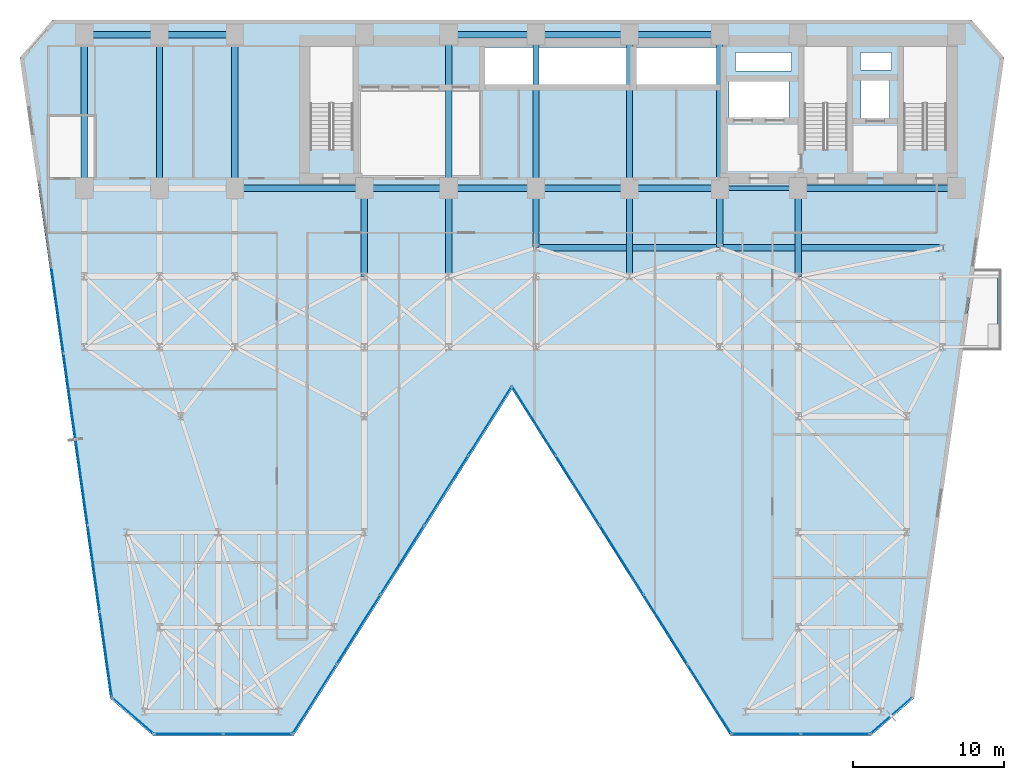
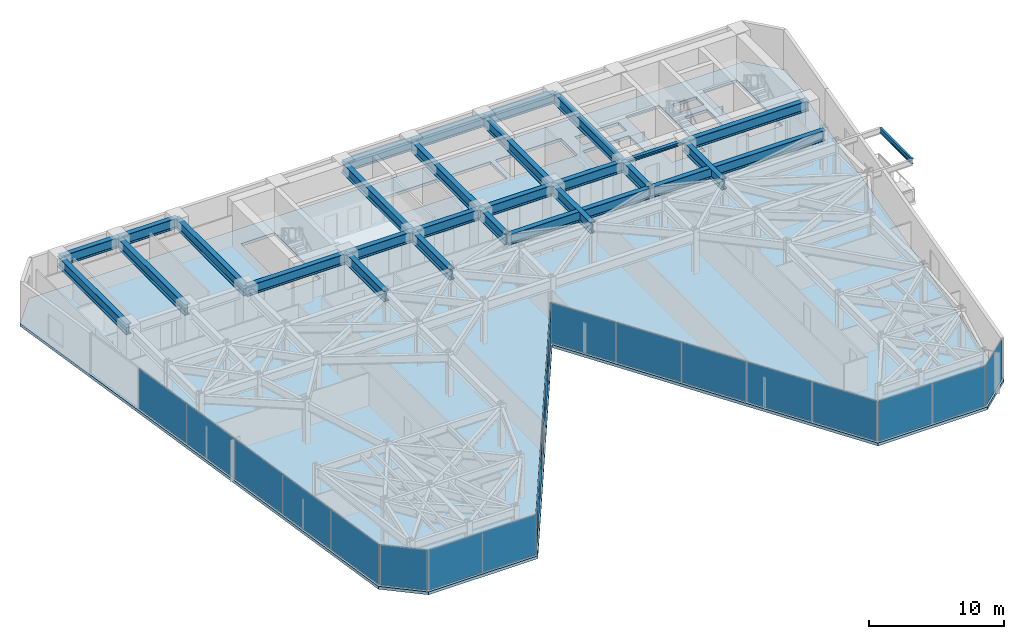
# One storey, part 18 of 25: 28 beams, 21 plates, 1 slab, 7 elements without a shape of their own.
"""IFC4 building model written with IfcOpenShell, lengths in metres."""

from ifc_helpers import new_model, si_unit, direction, frame, origin, origin_2d, place, context, subcontext, project, spatial, polyline, rectangle, i_section, outline, extrude, material, layer, layer_set, material_profile, profile_set, type_object, element, aggregate, save


model = new_model("IFC4")

# Units and contexts
model_context = context("Model", 3, precision=1e-05, world=origin(), true_north=direction((0.0, 1.0)))
body_context = subcontext(model_context, "Body", "Model", "MODEL_VIEW")
ifc_project = project(units=[si_unit("LENGTHUNIT", "METRE"), si_unit("AREAUNIT", "SQUARE_METRE"), si_unit("VOLUMEUNIT", "CUBIC_METRE"), si_unit("PLANEANGLEUNIT", "RADIAN"), si_unit("MASSUNIT", "GRAM", prefix="KILO")], contexts=[model_context])

# Site, building, storey
site_placement = place(None, origin())
site = spatial("IfcSite", under=ifc_project, at=site_placement, CompositionType="ELEMENT")
building_placement = place(site_placement, origin())
building = spatial("IfcBuilding", under=site, at=building_placement, Name="Kravanh Interchange Tower", CompositionType="ELEMENT")
storey_placement = place(building_placement, frame((0.0, 0.0, 73.5)))
storey = spatial("IfcBuildingStorey", under=building, at=storey_placement, Name="L17", CompositionType="ELEMENT", Elevation=73.5)

# Beams
ifc_material_1 = material(Name="Structural Steel S355", Category="steel")
ifc_material_profile_1 = material_profile(ifc_material_1, i_section(OverallWidth=0.41796875, OverallDepth=0.927001953125, WebThickness=0.019287109375, FlangeThickness=0.031982421875, FilletRadius=0.028076171875, at=origin_2d()), Name="W36X231")
ifc_profile_set_1 = profile_set([ifc_material_profile_1], Name="Structural Steel S355")
beam_type_1 = type_object("IfcBeamType", Name="Floor Beam W36X231 Structural Steel S355", PredefinedType="BEAM", material=ifc_profile_set_1)
beam_1_placement = place(storey_placement, frame((66.5, 37.35009765625, 3.276611328125), z_axis=(-1.0, 0.0, 0.0), x_axis=(0.0, -1.0, 0.0)))
element("IfcBeam", 1, at=beam_1_placement, inside=storey, type_object=beam_type_1, Name="L17 Primary Floor Girder 5", PredefinedType="BEAM", context=body_context, shape_type="SweptSolid", body=[
    extrude(i_section(OverallWidth=0.41796875, OverallDepth=0.927001953125, WebThickness=0.019287109375, FlangeThickness=0.031982421875, FilletRadius=0.028076171875, at=origin_2d()), origin(), (0.0, 0.0, 1.0), 10.5),
])
beam_2_placement = place(storey_placement, frame((56.0, 37.35009765625, 3.276611328125), z_axis=(0.0, -1.0, 0.0), x_axis=(1.0, 0.0, 0.0)))
element("IfcBeam", 2, at=beam_2_placement, inside=storey, type_object=beam_type_1, Name="L17 Primary Floor Girder 7", PredefinedType="BEAM", context=body_context, shape_type="SweptSolid", body=[
    extrude(i_section(OverallWidth=0.41796875, OverallDepth=0.927001953125, WebThickness=0.019287109375, FlangeThickness=0.031982421875, FilletRadius=0.028076171875, at=origin_2d()), origin(), (0.0, 0.0, 1.0), 5.85009765625),
])
beam_3_placement = place(storey_placement, frame((50.800048828125, 47.550048828125, 3.276611328125), z_axis=(-1.0, 0.0, 0.0), x_axis=(0.0, -1.0, 0.0)))
element("IfcBeam", 3, at=beam_3_placement, inside=storey, type_object=beam_type_1, Name="L17 Primary Floor Girder 8", PredefinedType="BEAM", context=body_context, shape_type="SweptSolid", body=[
    extrude(i_section(OverallWidth=0.41796875, OverallDepth=0.927001953125, WebThickness=0.019287109375, FlangeThickness=0.031982421875, FilletRadius=0.028076171875, at=origin_2d()), origin(), (0.0, 0.0, 1.0), 6.0),
])
beam_4_placement = place(storey_placement, frame((50.800048828125, 47.550048828125, 3.276611328125), z_axis=(0.0, -1.0, 0.0), x_axis=(1.0, 0.0, 0.0)))
element("IfcBeam", 4, at=beam_4_placement, inside=storey, type_object=beam_type_1, Name="L17 Primary Floor Girder 9", PredefinedType="BEAM", context=body_context, shape_type="SweptSolid", body=[
    extrude(i_section(OverallWidth=0.41796875, OverallDepth=0.927001953125, WebThickness=0.019287109375, FlangeThickness=0.031982421875, FilletRadius=0.028076171875, at=origin_2d()), origin(), (0.0, 0.0, 1.0), 10.199951171875),
])
beam_5_placement = place(storey_placement, frame((50.800048828125, 37.35009765625, 3.276611328125), z_axis=(0.0, -1.0, 0.0), x_axis=(1.0, 0.0, 0.0)))
element("IfcBeam", 5, at=beam_5_placement, inside=storey, type_object=beam_type_1, Name="L17 Primary Floor Girder 10", PredefinedType="BEAM", context=body_context, shape_type="SweptSolid", body=[
    extrude(i_section(OverallWidth=0.41796875, OverallDepth=0.927001953125, WebThickness=0.019287109375, FlangeThickness=0.031982421875, FilletRadius=0.028076171875, at=origin_2d()), origin(), (0.0, 0.0, 1.0), 3.9501953125),
])
beam_6_placement = place(storey_placement, frame((50.800048828125, 37.35009765625, 3.276611328125), z_axis=(-1.0, 0.0, 0.0), x_axis=(0.0, -1.0, 0.0)))
element("IfcBeam", 6, at=beam_6_placement, inside=storey, type_object=beam_type_1, Name="L17 Primary Floor Girder 11", PredefinedType="BEAM", context=body_context, shape_type="SweptSolid", body=[
    extrude(i_section(OverallWidth=0.41796875, OverallDepth=0.927001953125, WebThickness=0.019287109375, FlangeThickness=0.031982421875, FilletRadius=0.028076171875, at=origin_2d()), origin(), (0.0, 0.0, 1.0), 6.0),
])
beam_7_placement = place(storey_placement, frame((44.800048828125, 37.35009765625, 3.276611328125), z_axis=(0.0, -1.0, 0.0), x_axis=(1.0, 0.0, 0.0)))
element("IfcBeam", 7, at=beam_7_placement, inside=storey, type_object=beam_type_1, Name="L17 Primary Floor Girder 12", PredefinedType="BEAM", context=body_context, shape_type="SweptSolid", body=[
    extrude(i_section(OverallWidth=0.41796875, OverallDepth=0.927001953125, WebThickness=0.019287109375, FlangeThickness=0.031982421875, FilletRadius=0.028076171875, at=origin_2d()), origin(), (0.0, 0.0, 1.0), 5.85009765625),
])
beam_8_placement = place(storey_placement, frame((44.800048828125, 37.35009765625, 3.276611328125), z_axis=(-1.0, 0.0, 0.0), x_axis=(0.0, -1.0, 0.0)))
element("IfcBeam", 8, at=beam_8_placement, inside=storey, type_object=beam_type_1, Name="L17 Primary Floor Girder 13", PredefinedType="BEAM", context=body_context, shape_type="SweptSolid", body=[
    extrude(i_section(OverallWidth=0.41796875, OverallDepth=0.927001953125, WebThickness=0.019287109375, FlangeThickness=0.031982421875, FilletRadius=0.028076171875, at=origin_2d()), origin(), (0.0, 0.0, 1.0), 6.199951171875),
])
beam_9_placement = place(storey_placement, frame((44.800048828125, 37.35009765625, 3.276611328125), z_axis=(0.0, 1.0, 0.0), x_axis=(-1.0, 0.0, 0.0)))
element("IfcBeam", 9, at=beam_9_placement, inside=storey, type_object=beam_type_1, Name="L17 Primary Floor Girder 14", PredefinedType="BEAM", context=body_context, shape_type="SweptSolid", body=[
    extrude(i_section(OverallWidth=0.41796875, OverallDepth=0.927001953125, WebThickness=0.019287109375, FlangeThickness=0.031982421875, FilletRadius=0.028076171875, at=origin_2d()), origin(), (0.0, 0.0, 1.0), 10.199951171875),
])
beam_10_placement = place(storey_placement, frame((44.800048828125, 47.550048828125, 3.276611328125), z_axis=(-1.0, 0.0, 0.0), x_axis=(0.0, -1.0, 0.0)))
element("IfcBeam", 10, at=beam_10_placement, inside=storey, type_object=beam_type_1, Name="L17 Primary Floor Girder 15", PredefinedType="BEAM", context=body_context, shape_type="SweptSolid", body=[
    extrude(i_section(OverallWidth=0.41796875, OverallDepth=0.927001953125, WebThickness=0.019287109375, FlangeThickness=0.031982421875, FilletRadius=0.028076171875, at=origin_2d()), origin(), (0.0, 0.0, 1.0), 6.199951171875),
])
beam_11_placement = place(storey_placement, frame((38.60009765625, 37.35009765625, 3.276611328125), z_axis=(0.0, -1.0, 0.0), x_axis=(1.0, 0.0, 0.0)))
element("IfcBeam", 11, at=beam_11_placement, inside=storey, type_object=beam_type_1, Name="L17 Primary Floor Girder 16", PredefinedType="BEAM", context=body_context, shape_type="SweptSolid", body=[
    extrude(i_section(OverallWidth=0.41796875, OverallDepth=0.927001953125, WebThickness=0.019287109375, FlangeThickness=0.031982421875, FilletRadius=0.028076171875, at=origin_2d()), origin(), (0.0, 0.0, 1.0), 3.9501953125),
])
beam_12_placement = place(storey_placement, frame((38.60009765625, 37.35009765625, 3.276611328125), z_axis=(-1.0, 0.0, 0.0), x_axis=(0.0, -1.0, 0.0)))
element("IfcBeam", 12, at=beam_12_placement, inside=storey, type_object=beam_type_1, Name="L17 Primary Floor Girder 17", PredefinedType="BEAM", context=body_context, shape_type="SweptSolid", body=[
    extrude(i_section(OverallWidth=0.41796875, OverallDepth=0.927001953125, WebThickness=0.019287109375, FlangeThickness=0.031982421875, FilletRadius=0.028076171875, at=origin_2d()), origin(), (0.0, 0.0, 1.0), 5.800048828125),
])
beam_13_placement = place(storey_placement, frame((38.60009765625, 37.35009765625, 3.276611328125), z_axis=(0.0, 1.0, 0.0), x_axis=(-1.0, 0.0, 0.0)))
element("IfcBeam", 13, at=beam_13_placement, inside=storey, type_object=beam_type_1, Name="L17 Primary Floor Girder 18", PredefinedType="BEAM", context=body_context, shape_type="SweptSolid", body=[
    extrude(i_section(OverallWidth=0.41796875, OverallDepth=0.927001953125, WebThickness=0.019287109375, FlangeThickness=0.031982421875, FilletRadius=0.028076171875, at=origin_2d()), origin(), (0.0, 0.0, 1.0), 10.199951171875),
])
beam_14_placement = place(storey_placement, frame((38.60009765625, 47.550048828125, 3.276611328125), z_axis=(-1.0, 0.0, 0.0), x_axis=(0.0, -1.0, 0.0)))
element("IfcBeam", 14, at=beam_14_placement, inside=storey, type_object=beam_type_1, Name="L17 Primary Floor Girder 19", PredefinedType="BEAM", context=body_context, shape_type="SweptSolid", body=[
    extrude(i_section(OverallWidth=0.41796875, OverallDepth=0.927001953125, WebThickness=0.019287109375, FlangeThickness=0.031982421875, FilletRadius=0.028076171875, at=origin_2d()), origin(), (0.0, 0.0, 1.0), 5.800048828125),
])
beam_15_placement = place(storey_placement, frame((32.800048828125, 37.35009765625, 3.276611328125), z_axis=(-1.0, 0.0, 0.0), x_axis=(0.0, -1.0, 0.0)))
element("IfcBeam", 15, at=beam_15_placement, inside=storey, type_object=beam_type_1, Name="L17 Primary Floor Girder 20", PredefinedType="BEAM", context=body_context, shape_type="SweptSolid", body=[
    extrude(i_section(OverallWidth=0.41796875, OverallDepth=0.927001953125, WebThickness=0.019287109375, FlangeThickness=0.031982421875, FilletRadius=0.028076171875, at=origin_2d()), origin(), (0.0, 0.0, 1.0), 5.60009765625),
])
beam_16_placement = place(storey_placement, frame((32.800048828125, 37.35009765625, 3.276611328125), z_axis=(0.0, -1.0, 0.0), x_axis=(1.0, 0.0, 0.0)))
element("IfcBeam", 16, at=beam_16_placement, inside=storey, type_object=beam_type_1, Name="L17 Primary Floor Girder 21", PredefinedType="BEAM", context=body_context, shape_type="SweptSolid", body=[
    extrude(i_section(OverallWidth=0.41796875, OverallDepth=0.927001953125, WebThickness=0.019287109375, FlangeThickness=0.031982421875, FilletRadius=0.028076171875, at=origin_2d()), origin(), (0.0, 0.0, 1.0), 5.85009765625),
])
beam_17_placement = place(storey_placement, frame((32.800048828125, 37.35009765625, 3.276611328125), z_axis=(0.0, 1.0, 0.0), x_axis=(-1.0, 0.0, 0.0)))
element("IfcBeam", 17, at=beam_17_placement, inside=storey, type_object=beam_type_1, Name="L17 Primary Floor Girder 22", PredefinedType="BEAM", context=body_context, shape_type="SweptSolid", body=[
    extrude(i_section(OverallWidth=0.41796875, OverallDepth=0.927001953125, WebThickness=0.019287109375, FlangeThickness=0.031982421875, FilletRadius=0.028076171875, at=origin_2d()), origin(), (0.0, 0.0, 1.0), 10.199951171875),
])
beam_18_placement = place(storey_placement, frame((27.199951171875, 37.35009765625, 3.276611328125), z_axis=(0.0, -1.0, 0.0), x_axis=(1.0, 0.0, 0.0)))
element("IfcBeam", 18, at=beam_18_placement, inside=storey, type_object=beam_type_1, Name="L17 Primary Floor Girder 24", PredefinedType="BEAM", context=body_context, shape_type="SweptSolid", body=[
    extrude(i_section(OverallWidth=0.41796875, OverallDepth=0.927001953125, WebThickness=0.019287109375, FlangeThickness=0.031982421875, FilletRadius=0.028076171875, at=origin_2d()), origin(), (0.0, 0.0, 1.0), 5.85009765625),
])
beam_19_placement = place(storey_placement, frame((27.199951171875, 37.35009765625, 3.276611328125), z_axis=(-1.0, 0.0, 0.0), x_axis=(0.0, -1.0, 0.0)))
element("IfcBeam", 19, at=beam_19_placement, inside=storey, type_object=beam_type_1, Name="L17 Primary Floor Girder 25", PredefinedType="BEAM", context=body_context, shape_type="SweptSolid", body=[
    extrude(i_section(OverallWidth=0.41796875, OverallDepth=0.927001953125, WebThickness=0.019287109375, FlangeThickness=0.031982421875, FilletRadius=0.028076171875, at=origin_2d()), origin(), (0.0, 0.0, 1.0), 8.599853515625),
])
beam_20_placement = place(storey_placement, frame((18.60009765625, 37.35009765625, 3.276611328125), z_axis=(0.0, 1.0, 0.0), x_axis=(-1.0, 0.0, 0.0)))
element("IfcBeam", 20, at=beam_20_placement, inside=storey, type_object=beam_type_1, Name="L17 Primary Floor Girder 30", PredefinedType="BEAM", context=body_context, shape_type="SweptSolid", body=[
    extrude(i_section(OverallWidth=0.41796875, OverallDepth=0.927001953125, WebThickness=0.019287109375, FlangeThickness=0.031982421875, FilletRadius=0.028076171875, at=origin_2d()), origin(), (0.0, 0.0, 1.0), 10.199951171875),
])
beam_21_placement = place(storey_placement, frame((18.60009765625, 47.550048828125, 3.276611328125), z_axis=(-1.0, 0.0, 0.0), x_axis=(0.0, -1.0, 0.0)))
element("IfcBeam", 21, at=beam_21_placement, inside=storey, type_object=beam_type_1, Name="L17 Primary Floor Girder 31", PredefinedType="BEAM", context=body_context, shape_type="SweptSolid", body=[
    extrude(i_section(OverallWidth=0.41796875, OverallDepth=0.927001953125, WebThickness=0.019287109375, FlangeThickness=0.031982421875, FilletRadius=0.028076171875, at=origin_2d()), origin(), (0.0, 0.0, 1.0), 5.0),
])
beam_22_placement = place(storey_placement, frame((13.60009765625, 37.35009765625, 3.276611328125), z_axis=(0.0, 1.0, 0.0), x_axis=(-1.0, 0.0, 0.0)))
element("IfcBeam", 22, at=beam_22_placement, inside=storey, type_object=beam_type_1, Name="L17 Primary Floor Girder 34", PredefinedType="BEAM", context=body_context, shape_type="SweptSolid", body=[
    extrude(i_section(OverallWidth=0.41796875, OverallDepth=0.927001953125, WebThickness=0.019287109375, FlangeThickness=0.031982421875, FilletRadius=0.028076171875, at=origin_2d()), origin(), (0.0, 0.0, 1.0), 10.199951171875),
])
beam_23_placement = place(storey_placement, frame((13.60009765625, 47.550048828125, 3.276611328125), z_axis=(-1.0, 0.0, 0.0), x_axis=(0.0, -1.0, 0.0)))
element("IfcBeam", 23, at=beam_23_placement, inside=storey, type_object=beam_type_1, Name="L17 Primary Floor Girder 35", PredefinedType="BEAM", context=body_context, shape_type="SweptSolid", body=[
    extrude(i_section(OverallWidth=0.41796875, OverallDepth=0.927001953125, WebThickness=0.019287109375, FlangeThickness=0.031982421875, FilletRadius=0.028076171875, at=origin_2d()), origin(), (0.0, 0.0, 1.0), 5.0),
])
beam_24_placement = place(storey_placement, frame((8.60009765625, 37.35009765625, 3.276611328125), z_axis=(0.0, 1.0, 0.0), x_axis=(-1.0, 0.0, 0.0)))
element("IfcBeam", 24, at=beam_24_placement, inside=storey, type_object=beam_type_1, Name="L17 Primary Floor Girder 37", PredefinedType="BEAM", context=body_context, shape_type="SweptSolid", body=[
    extrude(i_section(OverallWidth=0.41796875, OverallDepth=0.927001953125, WebThickness=0.019287109375, FlangeThickness=0.031982421875, FilletRadius=0.028076171875, at=origin_2d()), origin(), (0.0, 0.0, 1.0), 10.199951171875),
])
beam_25_placement = place(storey_placement, frame((38.60009765625, 33.39990234375, 3.276611328125), z_axis=(1.0, 0.0, 0.0), x_axis=(0.0, 1.0, 0.0)))
element("IfcBeam", 25, at=beam_25_placement, inside=storey, type_object=beam_type_1, Name="L17 Primary Floor Girder 145", PredefinedType="BEAM", context=body_context, shape_type="SweptSolid", body=[
    extrude(i_section(OverallWidth=0.41796875, OverallDepth=0.927001953125, WebThickness=0.019287109375, FlangeThickness=0.031982421875, FilletRadius=0.028076171875, at=origin_2d()), origin(), (0.0, 0.0, 1.0), 12.199951171875),
])
beam_26_placement = place(storey_placement, frame((50.800048828125, 33.39990234375, 3.276611328125), z_axis=(1.0, 0.0, 0.0), x_axis=(0.0, 1.0, 0.0)))
element("IfcBeam", 26, at=beam_26_placement, inside=storey, type_object=beam_type_1, Name="L17 Primary Floor Girder 146", PredefinedType="BEAM", context=body_context, shape_type="SweptSolid", body=[
    extrude(i_section(OverallWidth=0.41796875, OverallDepth=0.927001953125, WebThickness=0.019287109375, FlangeThickness=0.031982421875, FilletRadius=0.028076171875, at=origin_2d()), origin(), (0.0, 0.0, 1.0), 14.800048828125),
])
ifc_material_2 = material(Name="Structural Steel S355", Category="steel")
ifc_material_profile_2 = material_profile(ifc_material_2, i_section(OverallWidth=0.18994140625, OverallDepth=0.45703125, WebThickness=0.009033203125, FlangeThickness=0.014404296875, FilletRadius=0.01806640625, at=origin_2d()), Name="W18X50")
ifc_profile_set_2 = profile_set([ifc_material_profile_2], Name="Structural Steel S355")
beam_type_2 = type_object("IfcBeamType", Name="Floor Joist W18X50 Structural Steel S355", PredefinedType="JOIST", material=ifc_profile_set_2)
beam_27_placement = place(storey_placement, frame((69.330078125, 26.800048828125, 3.511474609375), z_axis=(0.0, 1.0, 0.0), x_axis=(-1.0, 0.0, 0.0)))
element("IfcBeam", 27, at=beam_27_placement, inside=storey, type_object=beam_type_2, Name="L17 Balcony Edge Tie Beam E", PredefinedType="JOIST", context=body_context, shape_type="SweptSolid", body=[
    extrude(i_section(OverallWidth=0.18994140625, OverallDepth=0.45703125, WebThickness=0.009033203125, FlangeThickness=0.014404296875, FilletRadius=0.01806640625, at=origin_2d()), origin(), (0.0, 0.0, 1.0), 4.699951171875),
])
ifc_material_3 = material(Name="Structural Steel S355", Category="steel")
ifc_material_profile_3 = material_profile(ifc_material_3, i_section(OverallWidth=0.304931640625, OverallDepth=0.306884765625, WebThickness=0.010009765625, FlangeThickness=0.015380859375, FilletRadius=0.014892578125, at=origin_2d()), Name="W12X65")
ifc_profile_set_3 = profile_set([ifc_material_profile_3], Name="Structural Steel S355")
beam_type_3 = type_object("IfcBeamType", Name="Floor Lintel W12X65 Structural Steel S355", PredefinedType="LINTEL", material=ifc_profile_set_3)
beam_28_placement = place(storey_placement, frame((50.800048828125, 37.35009765625, 3.58642578125), z_axis=(1.0, 0.0, 0.0), x_axis=(0.0, 1.0, 0.0)))
element("IfcBeam", 28, at=beam_28_placement, inside=storey, type_object=beam_type_3, Name="L17 Core Coupling Lintel 1", PredefinedType="LINTEL", context=body_context, shape_type="SweptSolid", body=[
    extrude(i_section(OverallWidth=0.304931640625, OverallDepth=0.306884765625, WebThickness=0.010009765625, FlangeThickness=0.015380859375, FilletRadius=0.014892578125, at=origin_2d()), origin(), (0.0, 0.0, 1.0), 5.199951171875),
])

# Slab
ifc_material_4 = material(Name="Concrete C50/60", Category="concrete")
ifc_layer_1 = layer(ifc_material_4, 0.260009765625)
ifc_layer_set_1 = layer_set([ifc_layer_1], Name="Composite Floor Slab Concrete C50/60 260mm")
slab_type = type_object("IfcSlabType", Name="Composite Floor Slab Concrete C50/60 260mm", PredefinedType="FLOOR", material=ifc_layer_set_1)
slab_placement = place(storey_placement, frame((0.0, 0.0, -0.260009765625)))
element("IfcSlab", 29, at=slab_placement, inside=storey, type_object=slab_type, Name="L17 Structural Floor Slab", PredefinedType="FLOOR", context=body_context, shape_type="SweptSolid", body=[
    extrude(outline(polyline([(10.327880859375, 3.4755859375), (13.17578125, 1.0), (22.5, 1.0), (37.0, 24.0), (51.5, 1.0), (60.82421875, 1.0), (63.672119140625, 3.4755859375), (69.652099609375, 46.0244140625), (67.5, 48.5), (6.5, 48.5), (4.347900390625, 46.0244140625), (10.327880859375, 3.4755859375)]), holes=[polyline([(65.85009765625, 39.925048828125), (65.85009765625, 46.75), (63.0, 46.75), (63.0, 39.925048828125), (65.85009765625, 39.925048828125)]), polyline([(59.25, 39.925048828125), (59.25, 46.75), (56.39990234375, 46.75), (56.39990234375, 39.925048828125), (59.25, 39.925048828125)]), polyline([(26.449951171875, 39.925048828125), (26.449951171875, 46.75), (23.60009765625, 46.75), (23.60009765625, 39.925048828125), (26.449951171875, 39.925048828125)]), polyline([(35.179931640625, 44.219970703125), (44.840087890625, 44.219970703125), (44.840087890625, 46.699951171875), (35.179931640625, 46.699951171875), (35.179931640625, 44.219970703125)]), polyline([(45.239990234375, 44.219970703125), (50.840087890625, 44.219970703125), (50.840087890625, 46.699951171875), (45.239990234375, 46.699951171875), (45.239990234375, 44.219970703125)]), polyline([(51.419921875, 42.02001953125), (55.3798828125, 42.02001953125), (55.3798828125, 44.47998046875), (51.419921875, 44.47998046875), (51.419921875, 42.02001953125)]), polyline([(60.179931640625, 41.97998046875), (62.06005859375, 41.97998046875), (62.06005859375, 44.52001953125), (60.179931640625, 44.52001953125), (60.179931640625, 41.97998046875)]), polyline([(60.14990234375, 45.199951171875), (62.199951171875, 45.199951171875), (62.199951171875, 46.35009765625), (60.14990234375, 46.35009765625), (60.14990234375, 45.199951171875)]), polyline([(51.85009765625, 45.14990234375), (55.550048828125, 45.14990234375), (55.550048828125, 46.35009765625), (51.85009765625, 46.35009765625), (51.85009765625, 45.14990234375)])]), origin(), (0.0, 0.0, 1.0), 0.260009765625),
])

# Curtain wall, plates
ifc_material_5 = material(Name="Anodised Bronze Aluminium", Category="aluminium")
ifc_layer_2 = layer(ifc_material_5, 0.179931640625)
ifc_layer_set_2 = layer_set([ifc_layer_2], Name="Unitised Curtain Wall System CW-Z1 Lower Office")
curtain_wall_type = type_object("IfcCurtainWallType", Name="Unitised Curtain Wall System CW-Z1 Lower Office", PredefinedType="NOTDEFINED", material=ifc_layer_set_2)
curtain_wall_1_placement = place(storey_placement, origin())
curtain_wall_1 = element("IfcCurtainWall", 30, at=curtain_wall_1_placement, inside=storey, type_object=curtain_wall_type, Name="L17 Unitised Curtain Wall CW-L17-01", PredefinedType="NOTDEFINED")
ifc_material_6 = material(Name="Low-E Laminated Architectural Glass", Category="glass")
ifc_layer_3 = layer(ifc_material_6, 0.028076171875)
ifc_layer_set_3 = layer_set([ifc_layer_3], Name="Solar-Control Double Glazing 28mm")
plate_type = type_object("IfcPlateType", Name="Solar-Control Double Glazing 28mm", PredefinedType="CURTAIN_PANEL", material=ifc_layer_set_3)
plate_1_placement = place(storey_placement, frame((10.03662109375, 6.409423828125, 0.06005859375), z_axis=(0.0, 0.0, 1.0), x_axis=(-0.139176538065, 0.990267585682, 0.0)))
plate_1 = element("IfcPlate", 31, at=plate_1_placement, type_object=plate_type, Name="CW-Z1 panel 1.1", PredefinedType="CURTAIN_PANEL", context=body_context, shape_type="SweptSolid", body=[
    extrude(rectangle(XDim=5.66162109375, YDim=0.028076171875, at=origin_2d()), origin(), (0.0, 0.0, 1.0), 3.6201171875),
])
plate_2_placement = place(storey_placement, frame((9.236572265625, 12.1025390625, 0.06005859375), z_axis=(0.0, 0.0, 1.0), x_axis=(-0.139176538065, 0.990267585682, 0.0)))
plate_2 = element("IfcPlate", 32, at=plate_2_placement, type_object=plate_type, Name="CW-Z1 panel 2.1", PredefinedType="CURTAIN_PANEL", context=body_context, shape_type="SweptSolid", body=[
    extrude(rectangle(XDim=5.69677734375, YDim=0.028076171875, at=origin_2d()), origin(), (0.0, 0.0, 1.0), 3.6201171875),
])
plate_3_placement = place(storey_placement, frame((8.433837890625, 17.813232421875, 0.06005859375), z_axis=(0.0, 0.0, 1.0), x_axis=(-0.139176538065, 0.990267585682, 0.0)))
plate_3 = element("IfcPlate", 33, at=plate_3_placement, type_object=plate_type, Name="CW-Z1 panel 3.1", PredefinedType="CURTAIN_PANEL", context=body_context, shape_type="SweptSolid", body=[
    extrude(rectangle(XDim=5.69677734375, YDim=0.028076171875, at=origin_2d()), origin(), (0.0, 0.0, 1.0), 3.6201171875),
])
plate_4_placement = place(storey_placement, frame((7.63134765625, 23.523681640625, 0.06005859375), z_axis=(0.0, 0.0, 1.0), x_axis=(-0.139176538065, 0.990267585682, 0.0)))
plate_4 = element("IfcPlate", 34, at=plate_4_placement, type_object=plate_type, Name="CW-Z1 panel 4.1", PredefinedType="CURTAIN_PANEL", context=body_context, shape_type="SweptSolid", body=[
    extrude(rectangle(XDim=5.69677734375, YDim=0.028076171875, at=origin_2d()), origin(), (0.0, 0.0, 1.0), 3.6201171875),
])
plate_5_placement = place(storey_placement, frame((6.828857421875, 29.234130859375, 0.06005859375), z_axis=(0.0, 0.0, 1.0), x_axis=(-0.139176538065, 0.990267585682, 0.0)))
plate_5 = element("IfcPlate", 35, at=plate_5_placement, type_object=plate_type, Name="CW-Z1 panel 5.1", PredefinedType="CURTAIN_PANEL", context=body_context, shape_type="SweptSolid", body=[
    extrude(rectangle(XDim=5.69677734375, YDim=0.028076171875, at=origin_2d()), origin(), (0.0, 0.0, 1.0), 3.6201171875),
])
aggregate(curtain_wall_1, [plate_1, plate_2, plate_3, plate_4, plate_5])

# Curtain wall, plate
curtain_wall_2_placement = place(storey_placement, origin())
curtain_wall_2 = element("IfcCurtainWall", 36, at=curtain_wall_2_placement, inside=storey, type_object=curtain_wall_type, Name="L17 Unitised Curtain Wall CW-L17-02", PredefinedType="NOTDEFINED")
plate_6_placement = place(storey_placement, frame((62.16943359375, 2.328369140625, 0.06005859375), z_axis=(0.0, 0.0, 1.0), x_axis=(-0.754708368999, -0.656060422341, 0.0)))
plate_6 = element("IfcPlate", 37, at=plate_6_placement, type_object=plate_type, Name="CW-Z1 panel 1.1", PredefinedType="CURTAIN_PANEL", context=body_context, shape_type="SweptSolid", body=[
    extrude(rectangle(XDim=3.543701171875, YDim=0.028076171875, at=origin_2d()), origin(), (0.0, 0.0, 1.0), 3.6201171875),
])
aggregate(curtain_wall_2, [plate_6])

# Curtain wall, plates
curtain_wall_3_placement = place(storey_placement, origin())
curtain_wall_3 = element("IfcCurtainWall", 38, at=curtain_wall_3_placement, inside=storey, type_object=curtain_wall_type, Name="L17 Unitised Curtain Wall CW-L17-03", PredefinedType="NOTDEFINED")
plate_7_placement = place(storey_placement, frame((58.45849609375, 1.1201171875, 0.06005859375), z_axis=(0.0, 0.0, 1.0), x_axis=(-1.0, 0.0, 0.0)))
plate_7 = element("IfcPlate", 39, at=plate_7_placement, type_object=plate_type, Name="CW-Z1 panel 1.1", PredefinedType="CURTAIN_PANEL", context=body_context, shape_type="SweptSolid", body=[
    extrude(rectangle(XDim=4.501708984375, YDim=0.028076171875, at=origin_2d()), origin(), (0.0, 0.0, 1.0), 3.6201171875),
])
plate_8_placement = place(storey_placement, frame((53.886962890625, 1.1201171875, 0.06005859375), z_axis=(0.0, 0.0, 1.0), x_axis=(-1.0, 0.0, 0.0)))
plate_8 = element("IfcPlate", 40, at=plate_8_placement, type_object=plate_type, Name="CW-Z1 panel 2.1", PredefinedType="CURTAIN_PANEL", context=body_context, shape_type="SweptSolid", body=[
    extrude(rectangle(XDim=4.501708984375, YDim=0.028076171875, at=origin_2d()), origin(), (0.0, 0.0, 1.0), 3.6201171875),
])
aggregate(curtain_wall_3, [plate_7, plate_8])

curtain_wall_4_placement = place(storey_placement, origin())
curtain_wall_4 = element("IfcCurtainWall", 41, at=curtain_wall_4_placement, inside=storey, type_object=curtain_wall_type, Name="L17 Unitised Curtain Wall CW-L17-04", PredefinedType="NOTDEFINED")
plate_9_placement = place(storey_placement, frame((50.100341796875, 3.4453125, 0.06005859375), z_axis=(0.0, 0.0, 1.0), x_axis=(-0.53330103728, 0.845925530786, 0.0)))
plate_9 = element("IfcPlate", 42, at=plate_9_placement, type_object=plate_type, Name="CW-Z1 panel 1.1", PredefinedType="CURTAIN_PANEL", context=body_context, shape_type="SweptSolid", body=[
    extrude(rectangle(XDim=5.357666015625, YDim=0.028076171875, at=origin_2d()), origin(), (0.0, 0.0, 1.0), 3.6201171875),
])
plate_10_placement = place(storey_placement, frame((47.1962890625, 8.051513671875, 0.06005859375), z_axis=(0.0, 0.0, 1.0), x_axis=(-0.53330103728, 0.845925530786, 0.0)))
plate_10 = element("IfcPlate", 43, at=plate_10_placement, type_object=plate_type, Name="CW-Z1 panel 2.1", PredefinedType="CURTAIN_PANEL", context=body_context, shape_type="SweptSolid", body=[
    extrude(rectangle(XDim=5.392578125, YDim=0.028076171875, at=origin_2d()), origin(), (0.0, 0.0, 1.0), 3.6201171875),
])
plate_11_placement = place(storey_placement, frame((44.283203125, 12.672607421875, 0.06005859375), z_axis=(0.0, 0.0, 1.0), x_axis=(-0.53330103728, 0.845925530786, 0.0)))
plate_11 = element("IfcPlate", 44, at=plate_11_placement, type_object=plate_type, Name="CW-Z1 panel 3.1", PredefinedType="CURTAIN_PANEL", context=body_context, shape_type="SweptSolid", body=[
    extrude(rectangle(XDim=5.392578125, YDim=0.028076171875, at=origin_2d()), origin(), (0.0, 0.0, 1.0), 3.6201171875),
])
plate_12_placement = place(storey_placement, frame((41.369873046875, 17.29345703125, 0.06005859375), z_axis=(0.0, 0.0, 1.0), x_axis=(-0.53330103728, 0.845925530786, 0.0)))
plate_12 = element("IfcPlate", 45, at=plate_12_placement, type_object=plate_type, Name="CW-Z1 panel 4.1", PredefinedType="CURTAIN_PANEL", context=body_context, shape_type="SweptSolid", body=[
    extrude(rectangle(XDim=5.392578125, YDim=0.028076171875, at=origin_2d()), origin(), (0.0, 0.0, 1.0), 3.6201171875),
])
plate_13_placement = place(storey_placement, frame((38.466064453125, 21.899658203125, 0.06005859375), z_axis=(0.0, 0.0, 1.0), x_axis=(-0.53330103728, 0.845925530786, 0.0)))
plate_13 = element("IfcPlate", 46, at=plate_13_placement, type_object=plate_type, Name="CW-Z1 panel 5.1", PredefinedType="CURTAIN_PANEL", context=body_context, shape_type="SweptSolid", body=[
    extrude(rectangle(XDim=5.357666015625, YDim=0.028076171875, at=origin_2d()), origin(), (0.0, 0.0, 1.0), 3.6201171875),
])
aggregate(curtain_wall_4, [plate_9, plate_10, plate_11, plate_12, plate_13])

curtain_wall_5_placement = place(storey_placement, origin())
curtain_wall_5 = element("IfcCurtainWall", 47, at=curtain_wall_5_placement, inside=storey, type_object=curtain_wall_type, Name="L17 Unitised Curtain Wall CW-L17-05", PredefinedType="NOTDEFINED")
plate_14_placement = place(storey_placement, frame((35.533935546875, 21.899658203125, 0.06005859375), z_axis=(0.0, 0.0, 1.0), x_axis=(-0.53330103728, -0.845925530786, 0.0)))
plate_14 = element("IfcPlate", 48, at=plate_14_placement, type_object=plate_type, Name="CW-Z1 panel 1.1", PredefinedType="CURTAIN_PANEL", context=body_context, shape_type="SweptSolid", body=[
    extrude(rectangle(XDim=5.357666015625, YDim=0.028076171875, at=origin_2d()), origin(), (0.0, 0.0, 1.0), 3.6201171875),
])
plate_15_placement = place(storey_placement, frame((32.630126953125, 17.29345703125, 0.06005859375), z_axis=(0.0, 0.0, 1.0), x_axis=(-0.53330103728, -0.845925530786, 0.0)))
plate_15 = element("IfcPlate", 49, at=plate_15_placement, type_object=plate_type, Name="CW-Z1 panel 2.1", PredefinedType="CURTAIN_PANEL", context=body_context, shape_type="SweptSolid", body=[
    extrude(rectangle(XDim=5.392578125, YDim=0.028076171875, at=origin_2d()), origin(), (0.0, 0.0, 1.0), 3.6201171875),
])
plate_16_placement = place(storey_placement, frame((29.716796875, 12.672607421875, 0.06005859375), z_axis=(0.0, 0.0, 1.0), x_axis=(-0.53330103728, -0.845925530786, 0.0)))
plate_16 = element("IfcPlate", 50, at=plate_16_placement, type_object=plate_type, Name="CW-Z1 panel 3.1", PredefinedType="CURTAIN_PANEL", context=body_context, shape_type="SweptSolid", body=[
    extrude(rectangle(XDim=5.392578125, YDim=0.028076171875, at=origin_2d()), origin(), (0.0, 0.0, 1.0), 3.6201171875),
])
plate_17_placement = place(storey_placement, frame((26.8037109375, 8.051513671875, 0.06005859375), z_axis=(0.0, 0.0, 1.0), x_axis=(-0.53330103728, -0.845925530786, 0.0)))
plate_17 = element("IfcPlate", 51, at=plate_17_placement, type_object=plate_type, Name="CW-Z1 panel 4.1", PredefinedType="CURTAIN_PANEL", context=body_context, shape_type="SweptSolid", body=[
    extrude(rectangle(XDim=5.392578125, YDim=0.028076171875, at=origin_2d()), origin(), (0.0, 0.0, 1.0), 3.6201171875),
])
plate_18_placement = place(storey_placement, frame((23.899658203125, 3.4453125, 0.06005859375), z_axis=(0.0, 0.0, 1.0), x_axis=(-0.53330103728, -0.845925530786, 0.0)))
plate_18 = element("IfcPlate", 52, at=plate_18_placement, type_object=plate_type, Name="CW-Z1 panel 5.1", PredefinedType="CURTAIN_PANEL", context=body_context, shape_type="SweptSolid", body=[
    extrude(rectangle(XDim=5.357666015625, YDim=0.028076171875, at=origin_2d()), origin(), (0.0, 0.0, 1.0), 3.6201171875),
])
aggregate(curtain_wall_5, [plate_14, plate_15, plate_16, plate_17, plate_18])

curtain_wall_6_placement = place(storey_placement, origin())
curtain_wall_6 = element("IfcCurtainWall", 53, at=curtain_wall_6_placement, inside=storey, type_object=curtain_wall_type, Name="L17 Unitised Curtain Wall CW-L17-06", PredefinedType="NOTDEFINED")
plate_19_placement = place(storey_placement, frame((20.113037109375, 1.1201171875, 0.06005859375), z_axis=(0.0, 0.0, 1.0), x_axis=(-1.0, 0.0, 0.0)))
plate_19 = element("IfcPlate", 54, at=plate_19_placement, type_object=plate_type, Name="CW-Z1 panel 1.1", PredefinedType="CURTAIN_PANEL", context=body_context, shape_type="SweptSolid", body=[
    extrude(rectangle(XDim=4.501708984375, YDim=0.028076171875, at=origin_2d()), origin(), (0.0, 0.0, 1.0), 3.6201171875),
])
plate_20_placement = place(storey_placement, frame((15.54150390625, 1.1201171875, 0.06005859375), z_axis=(0.0, 0.0, 1.0), x_axis=(-1.0, 0.0, 0.0)))
plate_20 = element("IfcPlate", 55, at=plate_20_placement, type_object=plate_type, Name="CW-Z1 panel 2.1", PredefinedType="CURTAIN_PANEL", context=body_context, shape_type="SweptSolid", body=[
    extrude(rectangle(XDim=4.501708984375, YDim=0.028076171875, at=origin_2d()), origin(), (0.0, 0.0, 1.0), 3.6201171875),
])
aggregate(curtain_wall_6, [plate_19, plate_20])

# Curtain wall, plate
curtain_wall_7_placement = place(storey_placement, origin())
curtain_wall_7 = element("IfcCurtainWall", 56, at=curtain_wall_7_placement, inside=storey, type_object=curtain_wall_type, Name="L17 Unitised Curtain Wall CW-L17-07", PredefinedType="NOTDEFINED")
plate_21_placement = place(storey_placement, frame((11.83056640625, 2.328369140625, 0.06005859375), z_axis=(0.0, 0.0, 1.0), x_axis=(-0.754708368999, 0.656060422341, 0.0)))
plate_21 = element("IfcPlate", 57, at=plate_21_placement, type_object=plate_type, Name="CW-Z1 panel 1.1", PredefinedType="CURTAIN_PANEL", context=body_context, shape_type="SweptSolid", body=[
    extrude(rectangle(XDim=3.543701171875, YDim=0.028076171875, at=origin_2d()), origin(), (0.0, 0.0, 1.0), 3.6201171875),
])
aggregate(curtain_wall_7, [plate_21])

save(model, "model.ifc")
